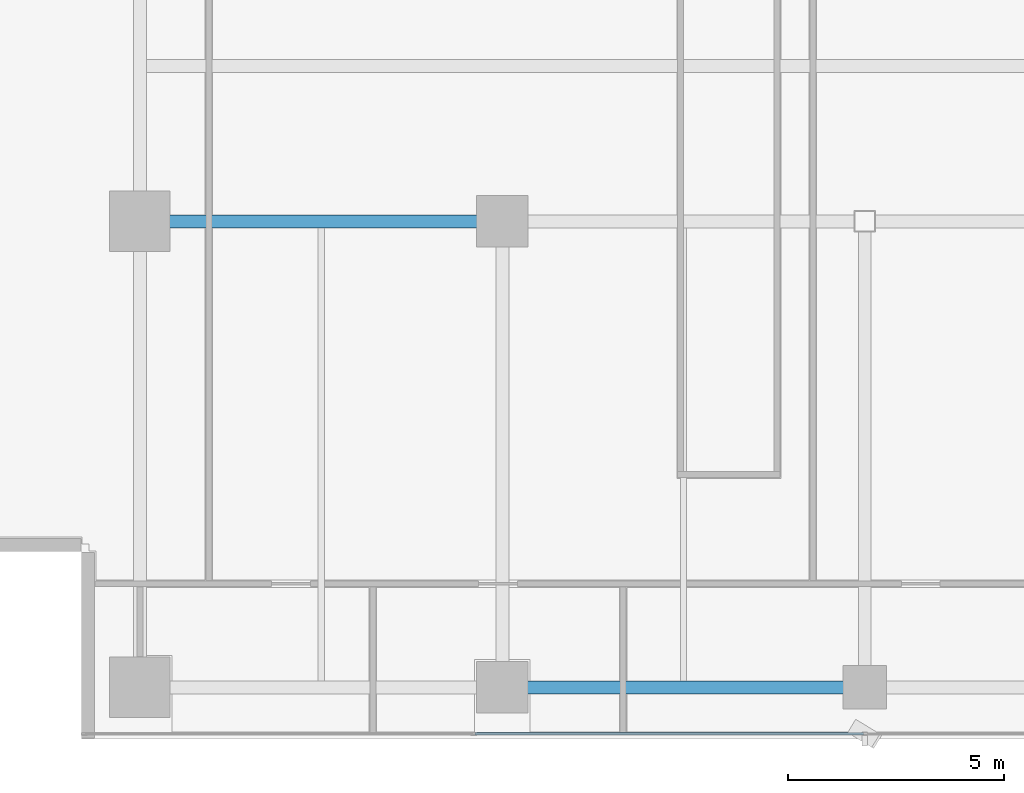
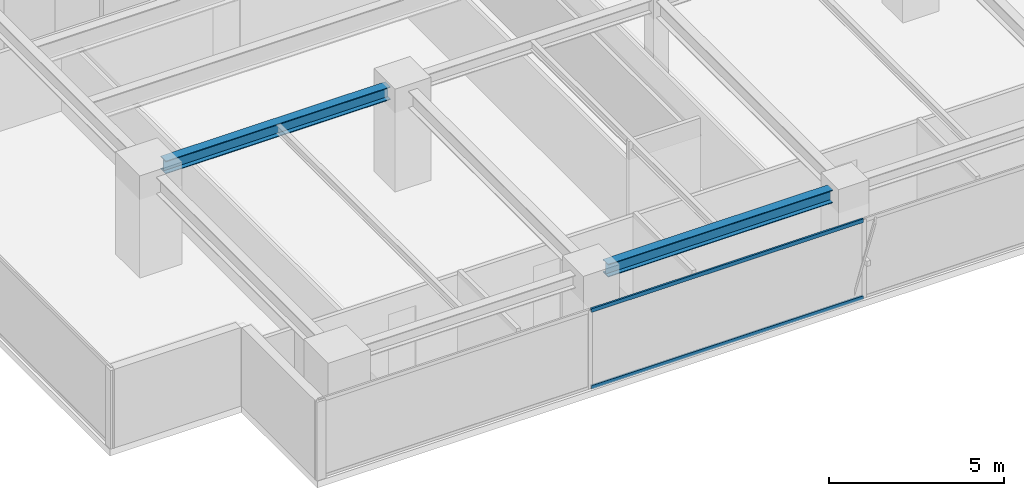
# One storey, part 5 of 25: 2 beams, 2 members, 1 element without a shape of its own.
"""IFC4 building model written with IfcOpenShell, lengths in metres."""

from ifc_helpers import new_model, si_unit, direction, frame, origin, origin_2d, place, context, subcontext, project, spatial, hollow_rectangle, i_section, extrude, source, transform, mapped, material, layer, layer_set, material_profile, profile_set, type_object, element, aggregate, save


model = new_model("IFC4")

# Units and contexts
model_context = context("Model", 3, precision=1e-05, world=origin(), true_north=direction((0.0, 1.0)))
body_context = subcontext(model_context, "Body", "Model", "MODEL_VIEW")
ifc_project = project(units=[si_unit("LENGTHUNIT", "METRE"), si_unit("AREAUNIT", "SQUARE_METRE"), si_unit("VOLUMEUNIT", "CUBIC_METRE"), si_unit("PLANEANGLEUNIT", "RADIAN"), si_unit("MASSUNIT", "GRAM", prefix="KILO")], contexts=[model_context])

# Site, building, storey
site_placement = place(None, origin())
site = spatial("IfcSite", under=ifc_project, at=site_placement, CompositionType="ELEMENT")
building_placement = place(site_placement, origin())
building = spatial("IfcBuilding", under=site, at=building_placement, Name="Sumidabori Civic Tower", CompositionType="ELEMENT")
storey_placement = place(building_placement, frame((0.0, 0.0, 239.60009765625)))
storey = spatial("IfcBuildingStorey", under=building, at=storey_placement, Name="L62", CompositionType="ELEMENT", Elevation=239.60009765625)

# Beams
ifc_material_1 = material(Name="Steel SN490", Category="steel")
ifc_material_profile_1 = material_profile(ifc_material_1, i_section(OverallWidth=0.300048828125, OverallDepth=0.449951171875, WebThickness=0.013916015625, FlangeThickness=0.02587890625, at=origin_2d()), Name="HE 450 B")
ifc_profile_set_1 = profile_set([ifc_material_profile_1], Name="Steel SN490")
beam_type = type_object("IfcBeamType", Name="BM-GIRD-450", PredefinedType="BEAM", material=ifc_profile_set_1)
shared_shape_1 = source(origin(), body_context, "Body", "SweptSolid", [
    extrude(i_section(OverallWidth=0.300048828125, OverallDepth=0.449951171875, WebThickness=0.013916015625, FlangeThickness=0.02587890625, at=origin_2d()), origin(), (0.0, 0.0, 1.0), 7.440185546875),
])
beam_1_placement = place(storey_placement, frame((-16.320068359375, 0.0, 3.14501953125), z_axis=(1.0, 0.0, 0.0), x_axis=(0.0, 1.0, 0.0)))
element("IfcBeam", 1, at=beam_1_placement, inside=storey, type_object=beam_type, Name="Primary Girder L62 GX-05", PredefinedType="BEAM", context=body_context, shape_type="MappedRepresentation", body=[
    mapped(shared_shape_1, transform((0.0, 0.0, 0.0), x_axis=(1.0, 0.0, 0.0), y_axis=(0.0, 1.0, 0.0), z_axis=(0.0, 0.0, 1.0), scale=1.0)),
])
shared_shape_2 = source(origin(), body_context, "Body", "SweptSolid", [
    extrude(i_section(OverallWidth=0.300048828125, OverallDepth=0.449951171875, WebThickness=0.013916015625, FlangeThickness=0.02587890625, at=origin_2d()), origin(), (0.0, 0.0, 1.0), 7.43994140625),
])
beam_2_placement = place(storey_placement, frame((-7.919921875, -10.800048828125, 3.14501953125), z_axis=(1.0, 0.0, 0.0), x_axis=(0.0, 1.0, 0.0)))
element("IfcBeam", 2, at=beam_2_placement, inside=storey, type_object=beam_type, Name="Primary Girder L62 GX-02", PredefinedType="BEAM", context=body_context, shape_type="MappedRepresentation", body=[
    mapped(shared_shape_2, transform((0.0, 0.0, 0.0), x_axis=(1.0, 0.0, 0.0), y_axis=(0.0, 1.0, 0.0), z_axis=(0.0, 0.0, 1.0), scale=1.0)),
])

# Curtain wall, members
ifc_material_2 = material(Name="Anodised Bronze Aluminium AW-6063-T6", Category="aluminium")
ifc_layer = layer(ifc_material_2, 0.179931640625, Name="Anodised Bronze Aluminium AW-6063-T6")
ifc_layer_set = layer_set([ifc_layer], Name="Anodised Bronze Aluminium AW-6063-T6")
curtain_wall_type = type_object("IfcCurtainWallType", Name="CW-SYS-5", PredefinedType="NOTDEFINED", material=ifc_layer_set)
curtain_wall_placement = place(storey_placement, origin())
curtain_wall = element("IfcCurtainWall", 3, at=curtain_wall_placement, inside=storey, type_object=curtain_wall_type, Name="Curtain Wall CW:L62:R01", PredefinedType="NOTDEFINED")
ifc_material_profile_2 = material_profile(ifc_material_2, hollow_rectangle(XDim=0.06005859375, YDim=0.1298828125, WallThickness=0.0048828125, at=origin_2d()), Name="ALU TRANSOM 130x60")
ifc_profile_set_2 = profile_set([ifc_material_profile_2], Name="Anodised Bronze Aluminium AW-6063-T6")
member_type = type_object("IfcMemberType", Name="CW-TRN-130", PredefinedType="USERDEFINED", material=ifc_profile_set_2)
shared_shape_3 = source(origin(), body_context, "Body", "SweptSolid", [
    extrude(hollow_rectangle(XDim=0.06005859375, YDim=0.1298828125, WallThickness=0.0048828125, at=origin_2d()), origin(), (0.0, 0.0, 1.0), 9.0),
])
member_1_placement = place(storey_placement, frame((-9.030029296875, -11.8798828125, 0.02978515625), z_axis=(1.0, 0.0, 0.0), x_axis=(0.0, 1.0, 0.0)))
member_1 = element("IfcMember", 4, at=member_1_placement, type_object=member_type, Name="CW-5 transom 2.1", ObjectType="TRANSOM", PredefinedType="USERDEFINED", context=body_context, shape_type="MappedRepresentation", body=[
    mapped(shared_shape_3, transform((0.0, 0.0, 0.0), x_axis=(1.0, 0.0, 0.0), y_axis=(0.0, 1.0, 0.0), z_axis=(0.0, 0.0, 1.0), scale=1.0)),
])
member_2_placement = place(storey_placement, frame((-9.030029296875, -11.8798828125, 2.719970703125), z_axis=(1.0, 0.0, 0.0), x_axis=(0.0, 1.0, 0.0)))
member_2 = element("IfcMember", 5, at=member_2_placement, type_object=member_type, Name="CW-5 transom 2.2", ObjectType="TRANSOM", PredefinedType="USERDEFINED", context=body_context, shape_type="MappedRepresentation", body=[
    mapped(shared_shape_3, transform((0.0, 0.0, 0.0), x_axis=(1.0, 0.0, 0.0), y_axis=(0.0, 1.0, 0.0), z_axis=(0.0, 0.0, 1.0), scale=1.0)),
])
aggregate(curtain_wall, [member_1, member_2])

save(model, "model.ifc")
